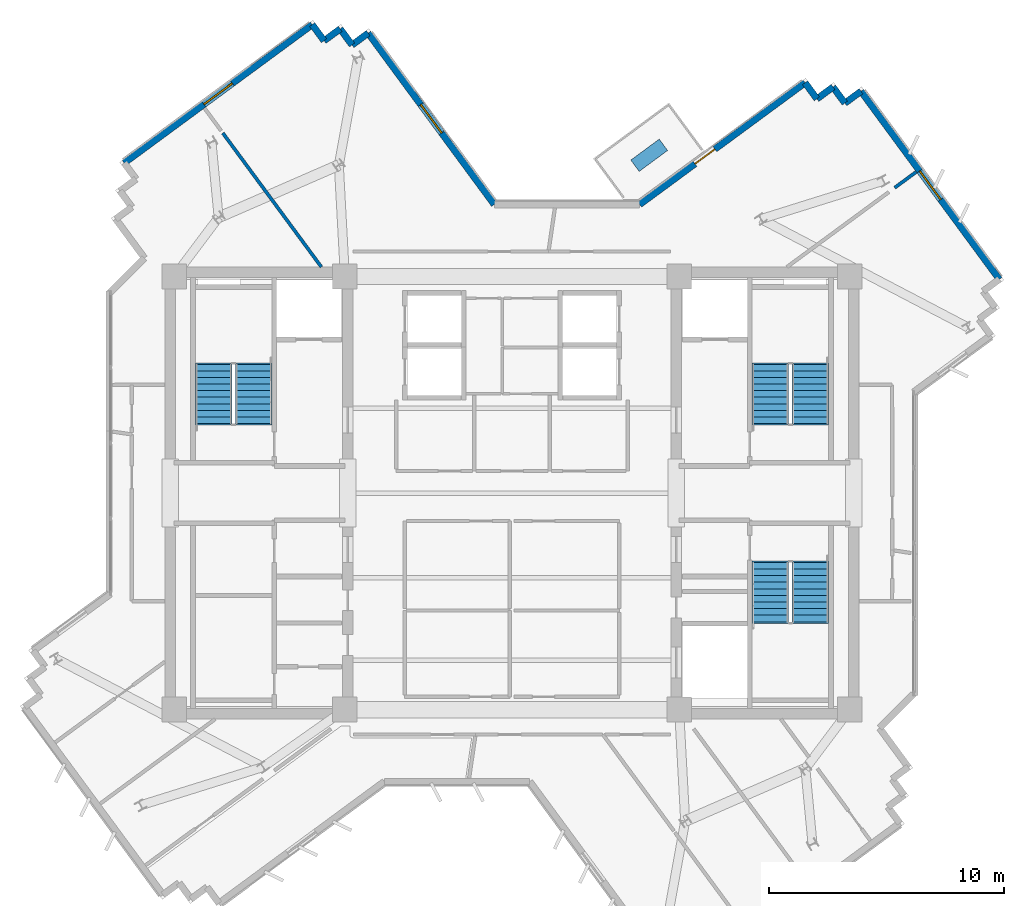
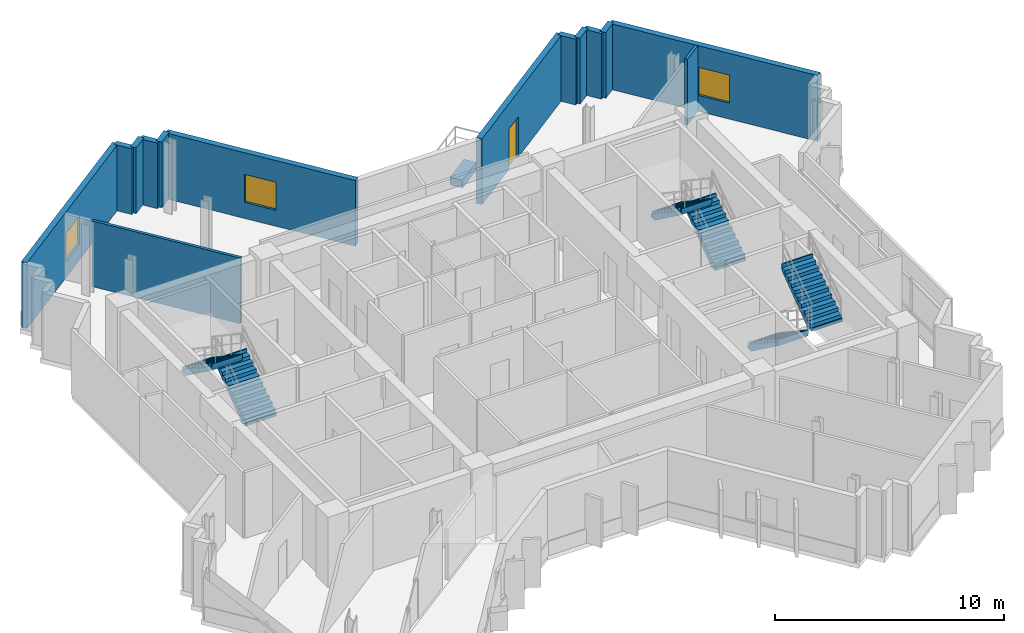
# One storey, part 10 of 13: 14 walls, 6 stair flights, 3 windows, 1 discrete accessory, 1 door, 4 openings, 3 elements without a shape of their own.
"""IFC4 building model written with IfcOpenShell, lengths in metres."""

from ifc_helpers import new_model, si_unit, direction, frame, frame_2d, origin, origin_2d, place, context, subcontext, project, spatial, polyline, rectangle, outline, extrude, source, transform, mapped, material, layer, layer_set, type_object, element, fill, aggregate, save


model = new_model("IFC4")

# Units and contexts
model_context = context("Model", 3, precision=1e-05, world=origin(), true_north=direction((0.0, 1.0)))
body_context = subcontext(model_context, "Body", "Model", "MODEL_VIEW")
ifc_project = project(units=[si_unit("LENGTHUNIT", "METRE"), si_unit("AREAUNIT", "SQUARE_METRE"), si_unit("VOLUMEUNIT", "CUBIC_METRE"), si_unit("PLANEANGLEUNIT", "RADIAN"), si_unit("MASSUNIT", "GRAM", prefix="KILO")], contexts=[model_context])

# Site, building, storey
site_placement = place(None, origin())
site = spatial("IfcSite", under=ifc_project, at=site_placement, CompositionType="ELEMENT")
building_placement = place(site_placement, origin())
building = spatial("IfcBuilding", under=site, at=building_placement, Name="Zahravan Cultural Tower", CompositionType="ELEMENT")
storey_placement = place(building_placement, frame((0.0, 0.0, 272.85009765625)))
storey = spatial("IfcBuildingStorey", under=building, at=storey_placement, Name="L65", CompositionType="ELEMENT", Elevation=272.85009765625)

# Wall, opening, door
ifc_material_1 = material(Name="Precast concrete C40/50", Category="concrete")
ifc_layer_1 = layer(ifc_material_1, 0.280029296875)
ifc_layer_set_1 = layer_set([ifc_layer_1], Name="Precast concrete C40/50")
wall_type_1 = type_object("IfcWallType", Name="EW-TC-280", PredefinedType="SOLIDWALL", material=ifc_layer_set_1)
wall_1_placement = place(storey_placement, frame((41.423095703125, 39.260009765625, 0.0), z_axis=(0.0, 0.0, 1.0), x_axis=(0.805403112922, 0.592727446383, 0.0)))
wall_1 = element("IfcWall", 1, at=wall_1_placement, inside=storey, type_object=wall_type_1, Name="L65 Exterior Masonry Frame Wall 01", PredefinedType="SOLIDWALL", context=body_context, shape_type="SweptSolid", body=[
    extrude(rectangle(XDim=8.7255859375, YDim=0.280029296875, at=frame_2d((4.36279296875, 0.0))), origin(), (0.0, 0.0, 1.0), 3.5),
])
opening_1_placement = place(wall_1_placement, frame((2.9169921875, 0.0, 0.0)))
opening_1 = element("IfcOpeningElement", 2, at=opening_1_placement, cuts=wall_1, Name="Opening D-L65-TR-NE", PredefinedType="OPENING", context=body_context, shape_type="SweptSolid", body=[
    extrude(rectangle(XDim=1.050048828125, YDim=2.14990234375, at=frame_2d((0.52490234375, 1.074951171875))), frame((0.0, 0.14990234375, 0.0), z_axis=(0.0, -1.0, 0.0), x_axis=(1.0, 0.0, 0.0)), (0.0, 0.0, 1.0), 0.300048828125),
])
ifc_material_2 = material(Name="Anodised bronze-aluminium mullion", Category="aluminium")
door_type = type_object("IfcDoorType", Name="DR-TERR-1050", OperationType="NOTDEFINED", PredefinedType="DOOR", material=ifc_material_2)
shared_shape_1 = source(origin(), body_context, "Body", "SweptSolid", [
    extrude(rectangle(XDim=1.050048828125, YDim=2.14990234375, at=frame_2d((0.52490234375, 1.074951171875))), frame((0.0, 0.02490234375, 0.0), z_axis=(0.0, -1.0, 0.0), x_axis=(1.0, 0.0, 0.0)), (0.0, 0.0, 1.0), 0.050048828125),
])
door_placement = place(opening_1_placement, origin())
door = element("IfcDoor", 3, at=door_placement, inside=storey, type_object=door_type, Name="L65 Terrace Access Door NE", OperationType="SINGLE_SWING_RIGHT", OverallHeight=2.14990234375, OverallWidth=1.050048828125, PredefinedType="DOOR", context=body_context, shape_type="MappedRepresentation", body=[
    mapped(shared_shape_1, transform((0.0, 0.0, 0.0), x_axis=(1.0, 0.0, 0.0), y_axis=(0.0, 1.0, 0.0), z_axis=(0.0, 0.0, 1.0), scale=1.0)),
])
fill(opening_1, door)

# Wall, opening, window
wall_2_placement = place(storey_placement, frame((50.827392578125, 44.0703125, 0.0), z_axis=(0.0, 0.0, 1.0), x_axis=(0.592722097771, -0.805407049146, 0.0)))
wall_2 = element("IfcWall", 4, at=wall_2_placement, inside=storey, type_object=wall_type_1, Name="L65 Exterior Masonry Frame Wall 06", PredefinedType="SOLIDWALL", context=body_context, shape_type="SweptSolid", body=[
    extrude(rectangle(XDim=9.920166015625, YDim=0.280029296875, at=frame_2d((4.9599609375, 0.0))), origin(), (0.0, 0.0, 1.0), 3.5),
])
opening_2_placement = place(wall_2_placement, frame((4.2099609375, 0.0, 0.85009765625)))
opening_2 = element("IfcOpeningElement", 5, at=opening_2_placement, cuts=wall_2, Name="Opening WN-03", PredefinedType="OPENING", context=body_context, shape_type="SweptSolid", body=[
    extrude(rectangle(XDim=1.5, YDim=1.5, at=frame_2d((0.75, 0.75))), frame((0.0, 0.14990234375, 0.0), z_axis=(0.0, -1.0, 0.0), x_axis=(1.0, 0.0, 0.0)), (0.0, 0.0, 1.0), 0.300048828125),
])
ifc_material_3 = material(Name="Low-E solar-control double glazing", Category="glass")
window_type = type_object("IfcWindowType", Name="WN-REC-1500X1500", PartitioningType="SINGLE_PANEL", PredefinedType="WINDOW", material=ifc_material_3)
shared_shape_2 = source(origin(), body_context, "Body", "SweptSolid", [
    extrude(rectangle(XDim=1.5, YDim=1.5, at=frame_2d((0.75, 0.75))), frame((0.0, 0.030029296875, 0.0), z_axis=(0.0, -1.0, 0.0), x_axis=(1.0, 0.0, 0.0)), (0.0, 0.0, 1.0), 0.06005859375),
])
window_1_placement = place(opening_2_placement, origin())
window_1 = element("IfcWindow", 6, at=window_1_placement, inside=storey, type_object=window_type, Name="L65 Recessed Solar Window 01", OverallHeight=1.5, OverallWidth=1.5, PartitioningType="SINGLE_PANEL", PredefinedType="WINDOW", context=body_context, shape_type="MappedRepresentation", body=[
    mapped(shared_shape_2, transform((0.0, 0.0, 0.0), x_axis=(1.0, 0.0, 0.0), y_axis=(0.0, 1.0, 0.0), z_axis=(0.0, 0.0, 1.0), scale=1.0)),
])
fill(opening_2, window_1)

wall_3_placement = place(storey_placement, frame((19.5224609375, 41.022216796875, 0.0), z_axis=(0.0, 0.0, 1.0), x_axis=(0.805418797839, 0.592706132994, 0.0)))
wall_3 = element("IfcWall", 7, at=wall_3_placement, inside=storey, type_object=wall_type_1, Name="L65 Exterior Masonry Frame Wall 42", PredefinedType="SOLIDWALL", context=body_context, shape_type="SweptSolid", body=[
    extrude(rectangle(XDim=9.919921875, YDim=0.280029296875, at=frame_2d((4.9599609375, 0.0))), origin(), (0.0, 0.0, 1.0), 3.5),
])
opening_3_placement = place(wall_3_placement, frame((4.2099609375, 0.0, 0.85009765625)))
opening_3 = element("IfcOpeningElement", 8, at=opening_3_placement, cuts=wall_3, Name="Opening WN-03", PredefinedType="OPENING", context=body_context, shape_type="SweptSolid", body=[
    extrude(rectangle(XDim=1.5, YDim=1.5, at=frame_2d((0.75, 0.75))), frame((0.0, 0.14990234375, 0.0), z_axis=(0.0, -1.0, 0.0), x_axis=(1.0, 0.0, 0.0)), (0.0, 0.0, 1.0), 0.300048828125),
])
window_2_placement = place(opening_3_placement, origin())
window_2 = element("IfcWindow", 9, at=window_2_placement, inside=storey, type_object=window_type, Name="L65 Recessed Solar Window 06", OverallHeight=1.5, OverallWidth=1.5, PartitioningType="SINGLE_PANEL", PredefinedType="WINDOW", context=body_context, shape_type="MappedRepresentation", body=[
    mapped(shared_shape_2, transform((0.0, 0.0, 0.0), x_axis=(1.0, 0.0, 0.0), y_axis=(0.0, 1.0, 0.0), z_axis=(0.0, 0.0, 1.0), scale=1.0)),
])
fill(opening_3, window_2)

wall_4_placement = place(storey_placement, frame((29.888916015625, 46.540283203125, 0.0), z_axis=(0.0, 0.0, 1.0), x_axis=(0.592715239748, -0.805412096117, 0.0)))
wall_4 = element("IfcWall", 10, at=wall_4_placement, inside=storey, type_object=wall_type_1, Name="L65 Exterior Masonry Frame Wall 47", PredefinedType="SOLIDWALL", context=body_context, shape_type="SweptSolid", body=[
    extrude(rectangle(XDim=9.039306640625, YDim=0.280029296875, at=frame_2d((4.51953125, 0.0))), origin(), (0.0, 0.0, 1.0), 3.5),
])
opening_4_placement = place(wall_4_placement, frame((3.77001953125, 0.0, 0.85009765625)))
opening_4 = element("IfcOpeningElement", 11, at=opening_4_placement, cuts=wall_4, Name="Opening WN-03", PredefinedType="OPENING", context=body_context, shape_type="SweptSolid", body=[
    extrude(rectangle(XDim=1.5, YDim=1.5, at=frame_2d((0.75, 0.75))), frame((0.0, 0.14990234375, 0.0), z_axis=(0.0, -1.0, 0.0), x_axis=(1.0, 0.0, 0.0)), (0.0, 0.0, 1.0), 0.300048828125),
])
window_3_placement = place(opening_4_placement, origin())
window_3 = element("IfcWindow", 12, at=window_3_placement, inside=storey, type_object=window_type, Name="L65 Recessed Solar Window 07", OverallHeight=1.5, OverallWidth=1.5, PartitioningType="SINGLE_PANEL", PredefinedType="WINDOW", context=body_context, shape_type="MappedRepresentation", body=[
    mapped(shared_shape_2, transform((0.0, 0.0, 0.0), x_axis=(1.0, 0.0, 0.0), y_axis=(0.0, 1.0, 0.0), z_axis=(0.0, 0.0, 1.0), scale=1.0)),
])
fill(opening_4, window_3)

# Walls
shared_shape_3 = source(origin(), body_context, "Body", "SweptSolid", [
    extrude(rectangle(XDim=0.85009765625, YDim=0.280029296875, at=frame_2d((0.425048828125, 0.0))), origin(), (0.0, 0.0, 1.0), 3.5),
])
for number, where, z_axis, x_axis, name in (
    (13, (48.45068359375, 44.431884765625, 0.0), (0.0, 0.0, 1.0), (0.592807079659, -0.80534450163, 0.0), "L65 Exterior Masonry Frame Wall 02"),
    (14, (50.142822265625, 43.56640625, 0.0), (0.0, 0.0, 1.0), (0.80534450163, 0.592807079659, 0.0), "L65 Exterior Masonry Frame Wall 05"),
    (15, (27.51220703125, 46.90185546875, 0.0), (0.0, 0.0, 1.0), (0.592807079659, -0.80534450163, 0.0), "L65 Exterior Masonry Frame Wall 43"),
    (16, (28.01611328125, 46.21728515625, 0.0), (0.0, 0.0, 1.0), (0.80534450163, 0.592807079659, 0.0), "L65 Exterior Masonry Frame Wall 44"),
):
    element("IfcWall", number, at=place(storey_placement, frame(where, z_axis=z_axis, x_axis=x_axis)), inside=storey, type_object=wall_type_1, Name=name, PredefinedType="SOLIDWALL", context=body_context, shape_type="MappedRepresentation", body=[
        mapped(shared_shape_3, transform((0.0, 0.0, 0.0), x_axis=(1.0, 0.0, 0.0), y_axis=(0.0, 1.0, 0.0), z_axis=(0.0, 0.0, 1.0), scale=1.0)),
    ])
shared_shape_4 = source(origin(), body_context, "Body", "SweptSolid", [
    extrude(rectangle(XDim=0.849853515625, YDim=0.280029296875, at=frame_2d((0.4248046875, 0.0))), origin(), (0.0, 0.0, 1.0), 3.5),
])
for number, where, z_axis, x_axis, name in (
    (17, (48.95458984375, 43.747314453125, 0.0), (0.0, 0.0, 1.0), (0.805481622783, 0.592620751712, 0.0), "L65 Exterior Masonry Frame Wall 03"),
    (18, (49.63916015625, 44.2509765625, 0.0), (0.0, 0.0, 1.0), (0.592620751712, -0.805481622783, 0.0), "L65 Exterior Masonry Frame Wall 04"),
    (19, (28.70068359375, 46.72119140625, 0.0), (0.0, 0.0, 1.0), (0.592620751712, -0.805481622783, 0.0), "L65 Exterior Masonry Frame Wall 45"),
    (20, (29.204345703125, 46.03662109375, 0.0), (0.0, 0.0, 1.0), (0.805481622783, 0.592620751712, 0.0), "L65 Exterior Masonry Frame Wall 46"),
):
    element("IfcWall", number, at=place(storey_placement, frame(where, z_axis=z_axis, x_axis=x_axis)), inside=storey, type_object=wall_type_1, Name=name, PredefinedType="SOLIDWALL", context=body_context, shape_type="MappedRepresentation", body=[
        mapped(shared_shape_4, transform((0.0, 0.0, 0.0), x_axis=(1.0, 0.0, 0.0), y_axis=(0.0, 1.0, 0.0), z_axis=(0.0, 0.0, 1.0), scale=1.0)),
    ])
ifc_material_4 = material(Name="Gypsum plasterboard partition")
ifc_layer_2 = layer(ifc_material_4, 0.139892578125)
ifc_layer_set_2 = layer_set([ifc_layer_2], Name="Gypsum plasterboard partition")
wall_type_2 = type_object("IfcWallType", Name="W-PART-140", PredefinedType="PARTITIONING", material=ifc_layer_set_2)
shared_shape_5 = source(origin(), body_context, "Body", "SweptSolid", [
    extrude(rectangle(XDim=7.06689453125, YDim=0.139892578125, at=frame_2d((3.533447265625, 0.0))), origin(), (0.0, 0.0, 1.0), 3.5),
])
wall_5_placement = place(storey_placement, frame((23.71240234375, 42.296875, 0.0), z_axis=(0.0, 0.0, 1.0), x_axis=(0.592689830588, -0.805430794493, 0.0)))
element("IfcWall", 21, at=wall_5_placement, inside=storey, type_object=wall_type_2, Name="L65 Interior Wall 094", PredefinedType="PARTITIONING", context=body_context, shape_type="MappedRepresentation", body=[
    mapped(shared_shape_5, transform((0.0, 0.0, 0.0), x_axis=(1.0, 0.0, 0.0), y_axis=(0.0, 1.0, 0.0), z_axis=(0.0, 0.0, 1.0), scale=1.0)),
])
shared_shape_6 = source(origin(), body_context, "Body", "SweptSolid", [
    extrude(rectangle(XDim=1.130126953125, YDim=0.139892578125, at=frame_2d((0.56494140625, 0.0))), origin(), (0.0, 0.0, 1.0), 3.5),
])
wall_6_placement = place(storey_placement, frame((52.26025390625, 39.971923828125, 0.0), z_axis=(0.0, 0.0, 1.0), x_axis=(0.805359802525, 0.592786292416, 0.0)))
element("IfcWall", 22, at=wall_6_placement, inside=storey, type_object=wall_type_2, Name="L65 Interior Wall 098", PredefinedType="PARTITIONING", context=body_context, shape_type="MappedRepresentation", body=[
    mapped(shared_shape_6, transform((0.0, 0.0, 0.0), x_axis=(1.0, 0.0, 0.0), y_axis=(0.0, 1.0, 0.0), z_axis=(0.0, 0.0, 1.0), scale=1.0)),
])

# Stair, stair flights
ifc_material_5 = material(Name="Concrete C45/55", Category="concrete")
stair_type = type_object("IfcStairType", Name="STR-DL-1550-375", PredefinedType="HALF_TURN_STAIR", material=ifc_material_5)
stair_1_placement = place(storey_placement, origin())
stair_1 = element("IfcStair", 23, at=stair_1_placement, inside=storey, type_object=stair_type, Name="L65 West Core North Exit Stair ST-W1", PredefinedType="HALF_TURN_STAIR")
stair_flight_type = type_object("IfcStairFlightType", Name="FLG-DL-1550-375", PredefinedType="STRAIGHT", material=ifc_material_5)
stair_flight_1_placement = place(storey_placement, frame((25.02490234375, 29.949951171875, 0.0), z_axis=(0.0, 0.0, 1.0), x_axis=(0.0, 1.0, 0.0)))
stair_flight_1 = element("IfcStairFlight", 24, at=stair_flight_1_placement, type_object=stair_flight_type, Name="ST-W1 flight 1", NumberOfRisers=10, NumberOfTreads=9, PredefinedType="STRAIGHT", RiserHeight=0.1875, TreadLength=0.28, context=body_context, shape_type="SweptSolid", body=[
    extrude(outline(polyline([(-0.06494140625, -0.139892578125), (-0.06494140625, 0.0), (0.0, 0.0), (0.0, 0.1875), (0.280029296875, 0.1875), (0.280029296875, 0.375), (0.56005859375, 0.375), (0.56005859375, 0.5625), (0.840087890625, 0.5625), (0.840087890625, 0.75), (1.1201171875, 0.75), (1.1201171875, 0.9375), (1.39990234375, 0.9375), (1.39990234375, 1.125), (1.679931640625, 1.125), (1.679931640625, 1.3125), (1.9599609375, 1.3125), (1.9599609375, 1.5), (2.239990234375, 1.5), (2.239990234375, 1.6875), (2.52001953125, 1.6875), (2.52001953125, 1.875), (2.5849609375, 1.875), (2.5849609375, 1.72509765625), (2.52001953125, 1.507080078125), (0.26953125, -0.139892578125), (-0.06494140625, -0.139892578125)])), frame((0.0, 0.77490234375, 0.0), z_axis=(0.0, -1.0, 0.0), x_axis=(1.0, 0.0, 0.0)), (0.0, 0.0, 1.0), 1.550048828125),
])
stair_flight_2_placement = place(storey_placement, frame((23.324951171875, 32.469970703125, 1.875), z_axis=(0.0, 0.0, 1.0), x_axis=(0.0, -1.0, 0.0)))
stair_flight_2 = element("IfcStairFlight", 25, at=stair_flight_2_placement, type_object=stair_flight_type, Name="ST-W1 flight 2", NumberOfRisers=10, NumberOfTreads=9, PredefinedType="STRAIGHT", RiserHeight=0.1875, TreadLength=0.28, context=body_context, shape_type="SweptSolid", body=[
    extrude(outline(polyline([(-0.06494140625, -0.139892578125), (-0.06494140625, 0.0), (0.0, 0.0), (0.0, 0.1875), (0.280029296875, 0.1875), (0.280029296875, 0.375), (0.56005859375, 0.375), (0.56005859375, 0.5625), (0.840087890625, 0.5625), (0.840087890625, 0.75), (1.1201171875, 0.75), (1.1201171875, 0.9375), (1.39990234375, 0.9375), (1.39990234375, 1.125), (1.679931640625, 1.125), (1.679931640625, 1.3125), (1.9599609375, 1.3125), (1.9599609375, 1.5), (2.239990234375, 1.5), (2.239990234375, 1.6875), (2.52001953125, 1.6875), (2.52001953125, 1.875), (2.5849609375, 1.875), (2.5849609375, 1.72509765625), (2.52001953125, 1.507080078125), (0.26953125, -0.139892578125), (-0.06494140625, -0.139892578125)])), frame((0.0, 0.77490234375, 0.0), z_axis=(0.0, -1.0, 0.0), x_axis=(1.0, 0.0, 0.0)), (0.0, 0.0, 1.0), 1.550048828125),
])
aggregate(stair_1, [stair_flight_1, stair_flight_2])

stair_2_placement = place(storey_placement, origin())
stair_2 = element("IfcStair", 26, at=stair_2_placement, inside=storey, type_object=stair_type, Name="L65 East Core North Exit Stair ST-E1", PredefinedType="HALF_TURN_STAIR")
stair_flight_3_placement = place(storey_placement, frame((48.675048828125, 29.949951171875, 0.0), z_axis=(0.0, 0.0, 1.0), x_axis=(0.0, 1.0, 0.0)))
stair_flight_3 = element("IfcStairFlight", 27, at=stair_flight_3_placement, type_object=stair_flight_type, Name="ST-E1 flight 1", NumberOfRisers=10, NumberOfTreads=9, PredefinedType="STRAIGHT", RiserHeight=0.1875, TreadLength=0.28, context=body_context, shape_type="SweptSolid", body=[
    extrude(outline(polyline([(-0.06494140625, -0.139892578125), (-0.06494140625, 0.0), (0.0, 0.0), (0.0, 0.1875), (0.280029296875, 0.1875), (0.280029296875, 0.375), (0.56005859375, 0.375), (0.56005859375, 0.5625), (0.840087890625, 0.5625), (0.840087890625, 0.75), (1.1201171875, 0.75), (1.1201171875, 0.9375), (1.39990234375, 0.9375), (1.39990234375, 1.125), (1.679931640625, 1.125), (1.679931640625, 1.3125), (1.9599609375, 1.3125), (1.9599609375, 1.5), (2.239990234375, 1.5), (2.239990234375, 1.6875), (2.52001953125, 1.6875), (2.52001953125, 1.875), (2.5849609375, 1.875), (2.5849609375, 1.72509765625), (2.52001953125, 1.507080078125), (0.26953125, -0.139892578125), (-0.06494140625, -0.139892578125)])), frame((0.0, 0.77490234375, 0.0), z_axis=(0.0, -1.0, 0.0), x_axis=(1.0, 0.0, 0.0)), (0.0, 0.0, 1.0), 1.550048828125),
])
stair_flight_4_placement = place(storey_placement, frame((46.97509765625, 32.469970703125, 1.875), z_axis=(0.0, 0.0, 1.0), x_axis=(0.0, -1.0, 0.0)))
stair_flight_4 = element("IfcStairFlight", 28, at=stair_flight_4_placement, type_object=stair_flight_type, Name="ST-E1 flight 2", NumberOfRisers=10, NumberOfTreads=9, PredefinedType="STRAIGHT", RiserHeight=0.1875, TreadLength=0.28, context=body_context, shape_type="SweptSolid", body=[
    extrude(outline(polyline([(-0.06494140625, -0.139892578125), (-0.06494140625, 0.0), (0.0, 0.0), (0.0, 0.1875), (0.280029296875, 0.1875), (0.280029296875, 0.375), (0.56005859375, 0.375), (0.56005859375, 0.5625), (0.840087890625, 0.5625), (0.840087890625, 0.75), (1.1201171875, 0.75), (1.1201171875, 0.9375), (1.39990234375, 0.9375), (1.39990234375, 1.125), (1.679931640625, 1.125), (1.679931640625, 1.3125), (1.9599609375, 1.3125), (1.9599609375, 1.5), (2.239990234375, 1.5), (2.239990234375, 1.6875), (2.52001953125, 1.6875), (2.52001953125, 1.875), (2.5849609375, 1.875), (2.5849609375, 1.72509765625), (2.52001953125, 1.507080078125), (0.26953125, -0.139892578125), (-0.06494140625, -0.139892578125)])), frame((0.0, 0.77490234375, 0.0), z_axis=(0.0, -1.0, 0.0), x_axis=(1.0, 0.0, 0.0)), (0.0, 0.0, 1.0), 1.550048828125),
])
aggregate(stair_2, [stair_flight_3, stair_flight_4])

stair_3_placement = place(storey_placement, origin())
stair_3 = element("IfcStair", 29, at=stair_3_placement, inside=storey, type_object=stair_type, Name="L65 East Core South Exit Stair ST-E2", PredefinedType="HALF_TURN_STAIR")
stair_flight_5_placement = place(storey_placement, frame((46.97509765625, 24.050048828125, 0.0), z_axis=(0.0, 0.0, 1.0), x_axis=(0.0, -1.0, 0.0)))
stair_flight_5 = element("IfcStairFlight", 30, at=stair_flight_5_placement, type_object=stair_flight_type, Name="ST-E2 flight 1", NumberOfRisers=10, NumberOfTreads=9, PredefinedType="STRAIGHT", RiserHeight=0.1875, TreadLength=0.28, context=body_context, shape_type="SweptSolid", body=[
    extrude(outline(polyline([(-0.06494140625, -0.139892578125), (-0.06494140625, 0.0), (0.0, 0.0), (0.0, 0.1875), (0.280029296875, 0.1875), (0.280029296875, 0.375), (0.56005859375, 0.375), (0.56005859375, 0.5625), (0.840087890625, 0.5625), (0.840087890625, 0.75), (1.1201171875, 0.75), (1.1201171875, 0.9375), (1.39990234375, 0.9375), (1.39990234375, 1.125), (1.679931640625, 1.125), (1.679931640625, 1.3125), (1.9599609375, 1.3125), (1.9599609375, 1.5), (2.239990234375, 1.5), (2.239990234375, 1.6875), (2.52001953125, 1.6875), (2.52001953125, 1.875), (2.5849609375, 1.875), (2.5849609375, 1.72509765625), (2.52001953125, 1.507080078125), (0.26953125, -0.139892578125), (-0.06494140625, -0.139892578125)])), frame((0.0, 0.77490234375, 0.0), z_axis=(0.0, -1.0, 0.0), x_axis=(1.0, 0.0, 0.0)), (0.0, 0.0, 1.0), 1.550048828125),
])
stair_flight_6_placement = place(storey_placement, frame((48.675048828125, 21.530029296875, 1.875), z_axis=(0.0, 0.0, 1.0), x_axis=(0.0, 1.0, 0.0)))
stair_flight_6 = element("IfcStairFlight", 31, at=stair_flight_6_placement, type_object=stair_flight_type, Name="ST-E2 flight 2", NumberOfRisers=10, NumberOfTreads=9, PredefinedType="STRAIGHT", RiserHeight=0.1875, TreadLength=0.28, context=body_context, shape_type="SweptSolid", body=[
    extrude(outline(polyline([(-0.06494140625, -0.139892578125), (-0.06494140625, 0.0), (0.0, 0.0), (0.0, 0.1875), (0.280029296875, 0.1875), (0.280029296875, 0.375), (0.56005859375, 0.375), (0.56005859375, 0.5625), (0.840087890625, 0.5625), (0.840087890625, 0.75), (1.1201171875, 0.75), (1.1201171875, 0.9375), (1.39990234375, 0.9375), (1.39990234375, 1.125), (1.679931640625, 1.125), (1.679931640625, 1.3125), (1.9599609375, 1.3125), (1.9599609375, 1.5), (2.239990234375, 1.5), (2.239990234375, 1.6875), (2.52001953125, 1.6875), (2.52001953125, 1.875), (2.5849609375, 1.875), (2.5849609375, 1.72509765625), (2.52001953125, 1.507080078125), (0.26953125, -0.139892578125), (-0.06494140625, -0.139892578125)])), frame((0.0, 0.77490234375, 0.0), z_axis=(0.0, -1.0, 0.0), x_axis=(1.0, 0.0, 0.0)), (0.0, 0.0, 1.0), 1.550048828125),
])
aggregate(stair_3, [stair_flight_5, stair_flight_6])

# Discrete accessory
ifc_material_6 = material(Name="Planted soil and terracotta planter", Category="masonry")
discrete_accessory_type = type_object("IfcDiscreteAccessoryType", Name="ACC-PLANTER-TC", PredefinedType="USERDEFINED", material=ifc_material_6)
shared_shape_7 = source(origin(), body_context, "Body", "SweptSolid", [
    extrude(rectangle(XDim=1.5, YDim=0.60009765625, at=origin_2d()), origin(), (0.0, 0.0, 1.0), 0.419921875),
])
discrete_accessory_placement = place(storey_placement, frame((41.828857421875, 41.349609375, 0.0), z_axis=(0.0, 0.0, 1.0), x_axis=(0.80541134648, 0.592716258391, 0.0)))
element("IfcDiscreteAccessory", 32, at=discrete_accessory_placement, inside=storey, type_object=discrete_accessory_type, Name="L65 Terracotta Sculpture Planter NE", ObjectType="PLANTER", PredefinedType="USERDEFINED", context=body_context, shape_type="MappedRepresentation", body=[
    mapped(shared_shape_7, transform((0.0, 0.0, 0.0), x_axis=(1.0, 0.0, 0.0), y_axis=(0.0, 1.0, 0.0), z_axis=(0.0, 0.0, 1.0), scale=1.0)),
])

save(model, "model.ifc")
